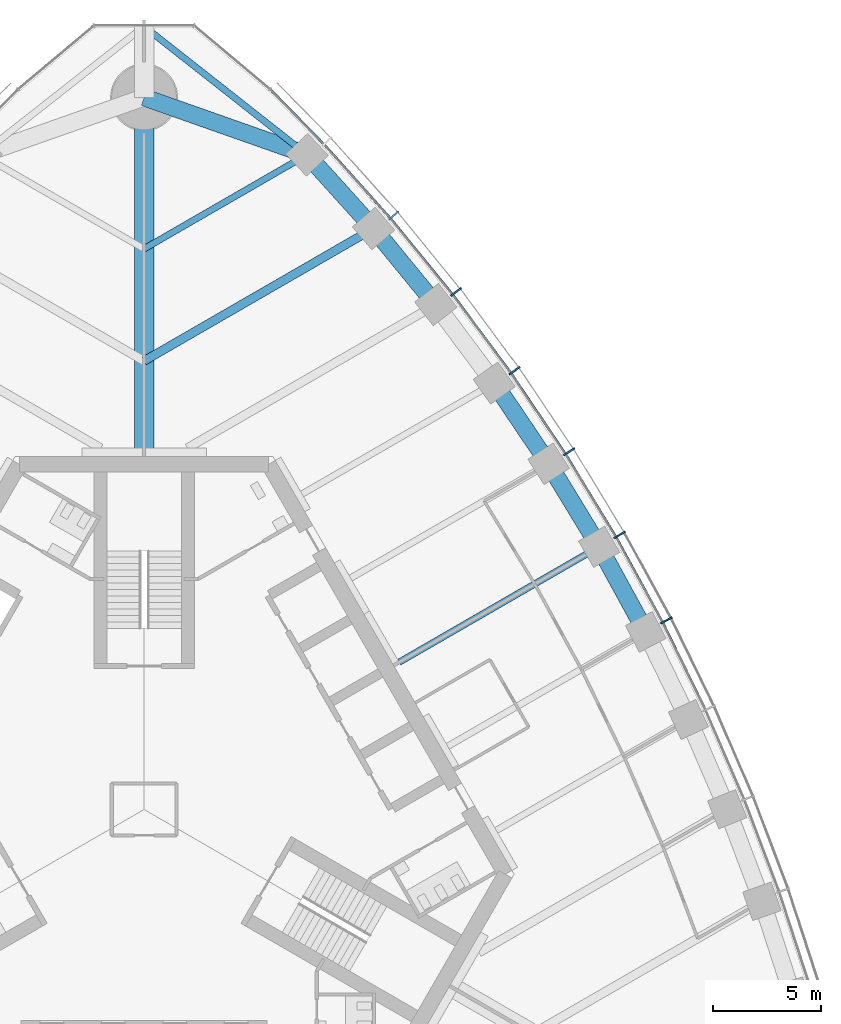
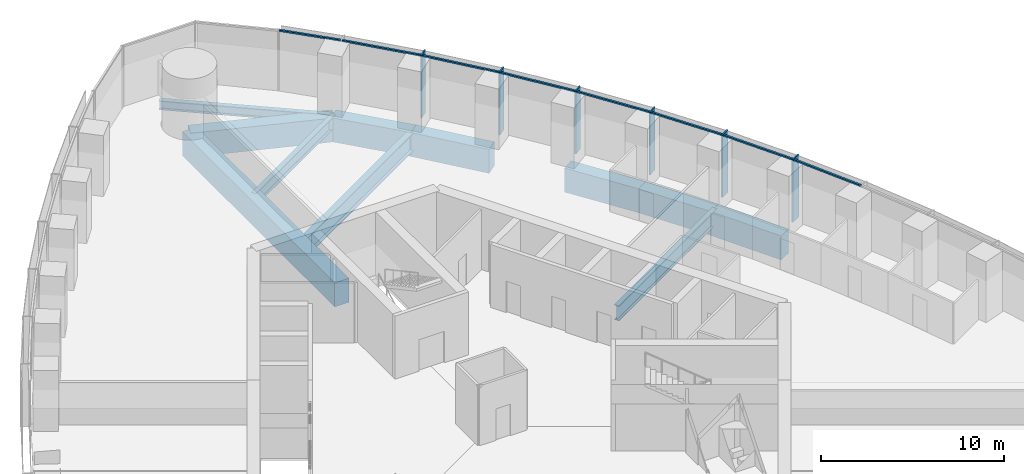
# One storey, part 7 of 18: 14 members, 11 beams, 1 element without a shape of its own.
"""IFC4 building model written with IfcOpenShell, lengths in metres."""

from ifc_helpers import new_model, si_unit, direction, frame, origin, origin_2d, place, context, subcontext, project, spatial, rectangle, i_section, extrude, material, material_profile, profile_set, type_object, element, aggregate, save


model = new_model("IFC4")

# Units and contexts
model_context = context("Model", 3, precision=1e-05, world=origin(), true_north=direction((0.0, 1.0)))
body_context = subcontext(model_context, "Body", "Model", "MODEL_VIEW")
ifc_project = project(units=[si_unit("LENGTHUNIT", "METRE"), si_unit("AREAUNIT", "SQUARE_METRE"), si_unit("VOLUMEUNIT", "CUBIC_METRE"), si_unit("PLANEANGLEUNIT", "RADIAN"), si_unit("MASSUNIT", "GRAM", prefix="KILO")], contexts=[model_context])

# Site, building, storey
site_placement = place(None, origin())
site = spatial("IfcSite", under=ifc_project, at=site_placement, CompositionType="ELEMENT")
building_placement = place(site_placement, origin())
building = spatial("IfcBuilding", under=site, at=building_placement, Name="Trefoil Bronze Tower", CompositionType="ELEMENT")
storey_placement = place(building_placement, frame((0.0, 0.0, 252.699951171875)))
storey = spatial("IfcBuildingStorey", under=building, at=storey_placement, Name="L58", CompositionType="ELEMENT", Elevation=252.699951171875)

# Curtain wall, members
ifc_material_1 = material(Name="Tinted solar-control glass", Category="glass")
curtain_wall_type = type_object("IfcCurtainWallType", Name="Bronze office curtain wall", PredefinedType="USERDEFINED", material=ifc_material_1)
curtain_wall_placement = place(storey_placement, origin())
curtain_wall = element("IfcCurtainWall", 1, at=curtain_wall_placement, inside=storey, type_object=curtain_wall_type, Name="CW-A L58 F2", ObjectType="CURTAIN WALL", PredefinedType="USERDEFINED")
ifc_material_2 = material(Name="Bronze-finish aluminium", Category="aluminium")
ifc_material_profile_1 = material_profile(ifc_material_2, rectangle(XDim=0.60009765625, YDim=0.080078125, at=origin_2d()), Name="CW-A mullion")
ifc_profile_set_1 = profile_set([ifc_material_profile_1], Name="Bronze-finish aluminium")
member_type_1 = type_object("IfcMemberType", Name="Bronze office curtain wall mullion", PredefinedType="MULLION", material=ifc_profile_set_1)
member_1_placement = place(storey_placement, frame((24.2080078125, 8.764404296875, 0.0), z_axis=(0.0, 0.0, 1.0), x_axis=(-0.888088206965, -0.459673075837, 0.0)))
member_1 = element("IfcMember", 2, at=member_1_placement, type_object=member_type_1, Name="CW-A L58 F2 mullion 6", PredefinedType="MULLION", context=body_context, shape_type="SweptSolid", body=[
    extrude(rectangle(XDim=0.60009765625, YDim=0.080078125, at=origin_2d()), origin(), (0.0, 0.0, 1.0), 4.179931640625),
])
member_2_placement = place(storey_placement, frame((22.041015625, 12.725341796875, 0.0), z_axis=(0.0, 0.0, 1.0), x_axis=(-0.866025403784, -0.5, 0.0)))
member_2 = element("IfcMember", 3, at=member_2_placement, type_object=member_type_1, Name="CW-A L58 F2 mullion 7", PredefinedType="MULLION", context=body_context, shape_type="SweptSolid", body=[
    extrude(rectangle(XDim=0.60009765625, YDim=0.080078125, at=origin_2d()), origin(), (0.0, 0.0, 1.0), 4.179931640625),
])
member_3_placement = place(storey_placement, frame((19.694091796875, 16.58251953125, 0.0), z_axis=(0.0, 0.0, 1.0), x_axis=(-0.842132664593, -0.539270410114, 0.0)))
member_3 = element("IfcMember", 4, at=member_3_placement, type_object=member_type_1, Name="CW-A L58 F2 mullion 8", PredefinedType="MULLION", context=body_context, shape_type="SweptSolid", body=[
    extrude(rectangle(XDim=0.60009765625, YDim=0.080078125, at=origin_2d()), origin(), (0.0, 0.0, 1.0), 4.179931640625),
])
member_4_placement = place(storey_placement, frame((17.167236328125, 20.335693359375, 0.0), z_axis=(0.0, 0.0, 1.0), x_axis=(-0.81640398396, -0.577481198806, 0.0)))
member_4 = element("IfcMember", 5, at=member_4_placement, type_object=member_type_1, Name="CW-A L58 F2 mullion 9", PredefinedType="MULLION", context=body_context, shape_type="SweptSolid", body=[
    extrude(rectangle(XDim=0.60009765625, YDim=0.080078125, at=origin_2d()), origin(), (0.0, 0.0, 1.0), 4.179931640625),
])
member_5_placement = place(storey_placement, frame((14.45849609375, 23.98388671875, 0.0), z_axis=(0.0, 0.0, 1.0), x_axis=(-0.788821461078, -0.614622406476, 0.0)))
member_5 = element("IfcMember", 6, at=member_5_placement, type_object=member_type_1, Name="CW-A L58 F2 mullion 10", PredefinedType="MULLION", context=body_context, shape_type="SweptSolid", body=[
    extrude(rectangle(XDim=0.60009765625, YDim=0.080078125, at=origin_2d()), origin(), (0.0, 0.0, 1.0), 4.179931640625),
])
member_6_placement = place(storey_placement, frame((11.564697265625, 27.525146484375, 0.0), z_axis=(0.0, 0.0, 1.0), x_axis=(-0.75935470958, -0.650676897576, 0.0)))
member_6 = element("IfcMember", 7, at=member_6_placement, type_object=member_type_1, Name="CW-A L58 F2 mullion 11", PredefinedType="MULLION", context=body_context, shape_type="SweptSolid", body=[
    extrude(rectangle(XDim=0.60009765625, YDim=0.080078125, at=origin_2d()), origin(), (0.0, 0.0, 1.0), 4.179931640625),
])
ifc_material_3 = material(Name="Bronze-finish aluminium", Category="aluminium")
ifc_material_profile_2 = material_profile(ifc_material_3, rectangle(XDim=0.1201171875, YDim=0.10009765625, at=origin_2d()), Name="CW-A transom")
ifc_profile_set_2 = profile_set([ifc_material_profile_2], Name="Bronze-finish aluminium")
member_type_2 = type_object("IfcMemberType", Name="Bronze office curtain wall transom", PredefinedType="USERDEFINED", material=ifc_profile_set_2)
member_7_placement = place(storey_placement, frame((25.99462890625, 4.65380859375, 4.130126953125), z_axis=(-0.439150835991, 0.898413347657, 0.0), x_axis=(-0.898413347657, -0.439150835991, 0.0)))
member_7 = element("IfcMember", 8, at=member_7_placement, type_object=member_type_2, Name="CW-A L58 F2 transom 5", ObjectType="TRANSOM", PredefinedType="USERDEFINED", context=body_context, shape_type="SweptSolid", body=[
    extrude(rectangle(XDim=0.1201171875, YDim=0.10009765625, at=origin_2d()), origin(), (0.0, 0.0, 1.0), 4.430908203125),
])
member_8_placement = place(storey_placement, frame((24.010009765625, 8.70947265625, 4.130126953125), z_axis=(-0.479973729071, 0.877282861683, 0.0), x_axis=(-0.877282861683, -0.479973729071, 0.0)))
member_8 = element("IfcMember", 9, at=member_8_placement, type_object=member_type_2, Name="CW-A L58 F2 transom 6", ObjectType="TRANSOM", PredefinedType="USERDEFINED", context=body_context, shape_type="SweptSolid", body=[
    extrude(rectangle(XDim=0.1201171875, YDim=0.10009765625, at=origin_2d()), origin(), (0.0, 0.0, 1.0), 4.421142578125),
])
member_9_placement = place(storey_placement, frame((21.845703125, 12.661376953125, 4.130126953125), z_axis=(-0.519740214649, 0.854324358354, 0.0), x_axis=(-0.854324358354, -0.519740214649, 0.0)))
member_9 = element("IfcMember", 10, at=member_9_placement, type_object=member_type_2, Name="CW-A L58 F2 transom 7", ObjectType="TRANSOM", PredefinedType="USERDEFINED", context=body_context, shape_type="SweptSolid", body=[
    extrude(rectangle(XDim=0.1201171875, YDim=0.10009765625, at=origin_2d()), origin(), (0.0, 0.0, 1.0), 4.421142578125),
])
member_10_placement = place(storey_placement, frame((19.502197265625, 16.509765625, 4.130126953125), z_axis=(-0.558509087547, 0.829498402125, 0.0), x_axis=(-0.829498402125, -0.558509087547, 0.0)))
member_10 = element("IfcMember", 11, at=member_10_placement, type_object=member_type_2, Name="CW-A L58 F2 transom 8", ObjectType="TRANSOM", PredefinedType="USERDEFINED", context=body_context, shape_type="SweptSolid", body=[
    extrude(rectangle(XDim=0.1201171875, YDim=0.10009765625, at=origin_2d()), origin(), (0.0, 0.0, 1.0), 4.4306640625),
])
member_11_placement = place(storey_placement, frame((16.978759765625, 20.254150390625, 4.130126953125), z_axis=(-0.59614822717, 0.802874393191, 0.0), x_axis=(-0.802874393191, -0.59614822717, 0.0)))
member_11 = element("IfcMember", 12, at=member_11_placement, type_object=member_type_2, Name="CW-A L58 F2 transom 9", ObjectType="TRANSOM", PredefinedType="USERDEFINED", context=body_context, shape_type="SweptSolid", body=[
    extrude(rectangle(XDim=0.1201171875, YDim=0.10009765625, at=origin_2d()), origin(), (0.0, 0.0, 1.0), 4.449951171875),
])
member_12_placement = place(storey_placement, frame((14.27392578125, 23.8935546875, 4.130126953125), z_axis=(-0.632756871921, 0.774350528531, 0.0), x_axis=(-0.774350528531, -0.632756871921, 0.0)))
member_12 = element("IfcMember", 13, at=member_12_placement, type_object=member_type_2, Name="CW-A L58 F2 transom 10", ObjectType="TRANSOM", PredefinedType="USERDEFINED", context=body_context, shape_type="SweptSolid", body=[
    extrude(rectangle(XDim=0.1201171875, YDim=0.10009765625, at=origin_2d()), origin(), (0.0, 0.0, 1.0), 4.4794921875),
])
member_13_placement = place(storey_placement, frame((11.384521484375, 27.426513671875, 4.130126953125), z_axis=(-0.66825109551, 0.743935799213, 0.0), x_axis=(-0.743935799213, -0.66825109551, 0.0)))
member_13 = element("IfcMember", 14, at=member_13_placement, type_object=member_type_2, Name="CW-A L58 F2 transom 11", ObjectType="TRANSOM", PredefinedType="USERDEFINED", context=body_context, shape_type="SweptSolid", body=[
    extrude(rectangle(XDim=0.1201171875, YDim=0.10009765625, at=origin_2d()), origin(), (0.0, 0.0, 1.0), 4.519287109375),
])
member_14_placement = place(storey_placement, frame((8.306884765625, 30.85009765625, 4.130126953125), z_axis=(-0.698646935368, 0.715466602785, 0.0), x_axis=(-0.715466602785, -0.698646935368, 0.0)))
member_14 = element("IfcMember", 15, at=member_14_placement, type_object=member_type_2, Name="CW-A L58 F2 transom 12", ObjectType="TRANSOM", PredefinedType="USERDEFINED", context=body_context, shape_type="SweptSolid", body=[
    extrude(rectangle(XDim=0.1201171875, YDim=0.10009765625, at=origin_2d()), origin(), (0.0, 0.0, 1.0), 3.483642578125),
])
aggregate(curtain_wall, [member_1, member_2, member_3, member_4, member_5, member_6, member_7, member_8, member_9, member_10, member_11, member_12, member_13, member_14])

# Beams
ifc_material_4 = material(Name="Steel C355", Category="steel")
ifc_material_profile_3 = material_profile(ifc_material_4, i_section(OverallWidth=0.300048828125, OverallDepth=0.60009765625, WebThickness=0.015380859375, FlangeThickness=0.030029296875, FilletRadius=0.027099609375, at=origin_2d()), Name="HEB 600")
ifc_profile_set_3 = profile_set([ifc_material_profile_3], Name="Steel C355")
beam_type_1 = type_object("IfcBeamType", Name="Corner edge beam HEB 600", PredefinedType="BEAM", material=ifc_profile_set_3)
beam_1_placement = place(storey_placement, frame((7.552001953125, 30.3408203125, -0.5), z_axis=(-0.785805912008, 0.618473175371, 0.0), x_axis=(-0.618473175371, -0.785805912008, 0.0)))
element("IfcBeam", 16, at=beam_1_placement, inside=storey, type_object=beam_type_1, Name="Corner edge beam F2A L58", PredefinedType="BEAM", context=body_context, shape_type="SweptSolid", body=[
    extrude(i_section(OverallWidth=0.300048828125, OverallDepth=0.60009765625, WebThickness=0.015380859375, FlangeThickness=0.030029296875, FilletRadius=0.027099609375, at=origin_2d()), origin(), (0.0, 0.0, 1.0), 9.610595703125),
])
ifc_material_5 = material(Name="Concrete B80", Category="concrete")
ifc_material_profile_4 = material_profile(ifc_material_5, rectangle(XDim=0.89990234375, YDim=1.60009765625, at=origin_2d()), Name="RC 900x1600")
ifc_profile_set_4 = profile_set([ifc_material_profile_4], Name="Concrete B80")
beam_type_2 = type_object("IfcBeamType", Name="Corner girder RC 900x1600", PredefinedType="BEAM", material=ifc_profile_set_4)
beam_2_placement = place(storey_placement, frame((0.0, 16.35009765625, -1.0), z_axis=(0.0, 1.0, 0.0), x_axis=(-1.0, 0.0, 0.0)))
element("IfcBeam", 17, at=beam_2_placement, inside=storey, type_object=beam_type_2, Name="Corner girder K2 L58", PredefinedType="BEAM", context=body_context, shape_type="SweptSolid", body=[
    extrude(rectangle(XDim=0.89990234375, YDim=1.60009765625, at=origin_2d()), origin(), (0.0, 0.0, 1.0), 16.64990234375),
])
ifc_material_6 = material(Name="Concrete B80", Category="concrete")
ifc_material_profile_5 = material_profile(ifc_material_6, rectangle(XDim=0.800048828125, YDim=1.60009765625, at=origin_2d()), Name="RC 800x1600")
ifc_profile_set_5 = profile_set([ifc_material_profile_5], Name="Concrete B80")
beam_type_3 = type_object("IfcBeamType", Name="End spandrel beam RC 800x1600", PredefinedType="SPANDREL", material=ifc_profile_set_5)
beam_3_placement = place(storey_placement, frame((7.552001953125, 30.3408203125, -1.0), z_axis=(-0.943234397359, 0.332127794137, 0.0), x_axis=(-0.332127794137, -0.943234397359, 0.0)))
element("IfcBeam", 18, at=beam_3_placement, inside=storey, type_object=beam_type_3, Name="Spandrel F2.12 L58", PredefinedType="SPANDREL", context=body_context, shape_type="SweptSolid", body=[
    extrude(rectangle(XDim=0.800048828125, YDim=1.60009765625, at=origin_2d()), origin(), (0.0, 0.0, 1.0), 8.006591796875),
])
ifc_material_7 = material(Name="Steel C355", Category="steel")
ifc_material_profile_6 = material_profile(ifc_material_7, i_section(OverallWidth=0.300048828125, OverallDepth=0.800048828125, WebThickness=0.017578125, FlangeThickness=0.032958984375, FilletRadius=0.030029296875, at=origin_2d()), Name="HEB 800")
ifc_profile_set_6 = profile_set([ifc_material_profile_6], Name="Steel C355")
beam_type_4 = type_object("IfcBeamType", Name="Floor beam HEB 800", PredefinedType="BEAM", material=ifc_profile_set_6)
beam_4_placement = place(storey_placement, frame((7.552001953125, 30.3408203125, -0.599853515625), z_axis=(-0.866027535932, -0.499996306993, 0.0), x_axis=(0.499996306993, -0.866027535932, 0.0)))
element("IfcBeam", 19, at=beam_4_placement, inside=storey, type_object=beam_type_4, Name="Floor beam F2/+5 L58", PredefinedType="BEAM", context=body_context, shape_type="SweptSolid", body=[
    extrude(i_section(OverallWidth=0.300048828125, OverallDepth=0.800048828125, WebThickness=0.017578125, FlangeThickness=0.032958984375, FilletRadius=0.030029296875, at=origin_2d()), origin(), (0.0, 0.0, 1.0), 8.72021484375),
])
ifc_material_8 = material(Name="Steel C355", Category="steel")
ifc_material_profile_7 = material_profile(ifc_material_8, i_section(OverallWidth=0.302001953125, OverallDepth=1.008056640625, WebThickness=0.02099609375, FlangeThickness=0.0400390625, FilletRadius=0.030029296875, at=origin_2d()), Name="HEM 1000")
ifc_profile_set_7 = profile_set([ifc_material_profile_7], Name="Steel C355")
beam_type_5 = type_object("IfcBeamType", Name="Floor beam HEM 1000", PredefinedType="BEAM", material=ifc_profile_set_7)
beam_5_placement = place(storey_placement, frame((21.08837890625, 12.17529296875, -0.703857421875), z_axis=(-0.86602601154, -0.499998947334, 0.0), x_axis=(0.499998947334, -0.86602601154, 0.0)))
element("IfcBeam", 20, at=beam_5_placement, inside=storey, type_object=beam_type_5, Name="Floor beam F2/+0 L58", PredefinedType="BEAM", context=body_context, shape_type="SweptSolid", body=[
    extrude(i_section(OverallWidth=0.302001953125, OverallDepth=1.008056640625, WebThickness=0.02099609375, FlangeThickness=0.0400390625, FilletRadius=0.030029296875, at=origin_2d()), origin(), (0.0, 0.0, 1.0), 10.70068359375),
])
ifc_material_9 = material(Name="Steel C355", Category="steel")
ifc_material_profile_8 = material_profile(ifc_material_9, i_section(OverallWidth=0.39990234375, OverallDepth=1.199951171875, WebThickness=0.02001953125, FlangeThickness=0.0400390625, FilletRadius=0.010009765625, at=origin_2d()), Name="WPG 1200")
ifc_profile_set_8 = profile_set([ifc_material_profile_8], Name="Steel C355")
beam_type_6 = type_object("IfcBeamType", Name="Floor beam WPG 1200", PredefinedType="BEAM", material=ifc_profile_set_8)
beam_6_placement = place(storey_placement, frame((10.632080078125, 26.923095703125, -0.800048828125), z_axis=(-0.866025635187, -0.499999599199, 0.0), x_axis=(0.499999599199, -0.866025635187, 0.0)))
element("IfcBeam", 21, at=beam_6_placement, inside=storey, type_object=beam_type_6, Name="Floor beam F2/+4 L58", PredefinedType="BEAM", context=body_context, shape_type="SweptSolid", body=[
    extrude(i_section(OverallWidth=0.39990234375, OverallDepth=1.199951171875, WebThickness=0.02001953125, FlangeThickness=0.0400390625, FilletRadius=0.010009765625, at=origin_2d()), origin(), (0.0, 0.0, 1.0), 12.27685546875),
])
ifc_material_10 = material(Name="Concrete B80", Category="concrete")
ifc_material_profile_9 = material_profile(ifc_material_10, rectangle(XDim=0.800048828125, YDim=1.60009765625, at=origin_2d()), Name="RC 800x1600")
ifc_profile_set_9 = profile_set([ifc_material_profile_9], Name="Concrete B80")
beam_type_7 = type_object("IfcBeamType", Name="Spandrel beam RC 800x1600", PredefinedType="SPANDREL", material=ifc_profile_set_9)
for number, where, z_axis, x_axis, name in (
    (22, (23.248046875, 8.22607421875, -1.0), (-0.479801903802, 0.87737684783, 0.0), (-0.87737684783, -0.479801903802, 0.0), "Spandrel F2.6 L58"),
    (23, (21.08837890625, 12.17529296875, -1.0), (-0.519933181394, 0.854206934464, 0.0), (-0.854206934464, -0.519933181394, 0.0), "Spandrel F2.7 L58"),
):
    element("IfcBeam", number, at=place(storey_placement, frame(where, z_axis=z_axis, x_axis=x_axis)), inside=storey, type_object=beam_type_7, Name=name, PredefinedType="SPANDREL", context=body_context, shape_type="SweptSolid", body=[
        extrude(rectangle(XDim=0.800048828125, YDim=1.60009765625, at=origin_2d()), origin(), (0.0, 0.0, 1.0), 4.501220703125),
    ])
beam_7_placement = place(storey_placement, frame((18.748046875, 16.020263671875, -1.0), z_axis=(-0.558964302753, 0.829191719838, 0.0), x_axis=(-0.829191719838, -0.558964302753, 0.0)))
element("IfcBeam", 24, at=beam_7_placement, inside=storey, type_object=beam_type_7, Name="Spandrel F2.8 L58", PredefinedType="SPANDREL", context=body_context, shape_type="SweptSolid", body=[
    extrude(rectangle(XDim=0.800048828125, YDim=1.60009765625, at=origin_2d()), origin(), (0.0, 0.0, 1.0), 4.510986328125),
])
beam_8_placement = place(storey_placement, frame((13.522216796875, 23.3955078125, -1.0), z_axis=(-0.633753657863, 0.773534938542, 0.0), x_axis=(-0.773534938542, -0.633753657863, 0.0)))
element("IfcBeam", 25, at=beam_8_placement, inside=storey, type_object=beam_type_7, Name="Spandrel F2.10 L58", PredefinedType="SPANDREL", context=body_context, shape_type="SweptSolid", body=[
    extrude(rectangle(XDim=0.800048828125, YDim=1.60009765625, at=origin_2d()), origin(), (0.0, 0.0, 1.0), 4.560302734375),
])
beam_9_placement = place(storey_placement, frame((10.632080078125, 26.923095703125, -1.0), z_axis=(-0.669460045872, 0.742848064534, 0.0), x_axis=(-0.742848064534, -0.669460045872, 0.0)))
element("IfcBeam", 26, at=beam_9_placement, inside=storey, type_object=beam_type_7, Name="Spandrel F2.11 L58", PredefinedType="SPANDREL", context=body_context, shape_type="SweptSolid", body=[
    extrude(rectangle(XDim=0.800048828125, YDim=1.60009765625, at=origin_2d()), origin(), (0.0, 0.0, 1.0), 4.600830078125),
])

save(model, "model.ifc")
